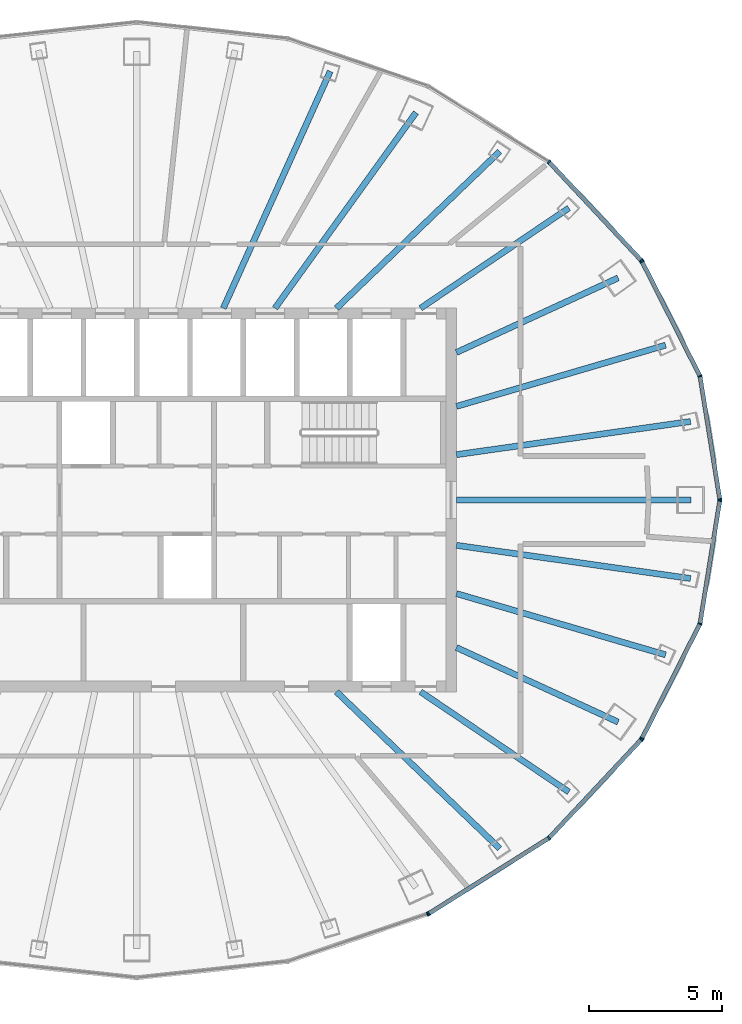
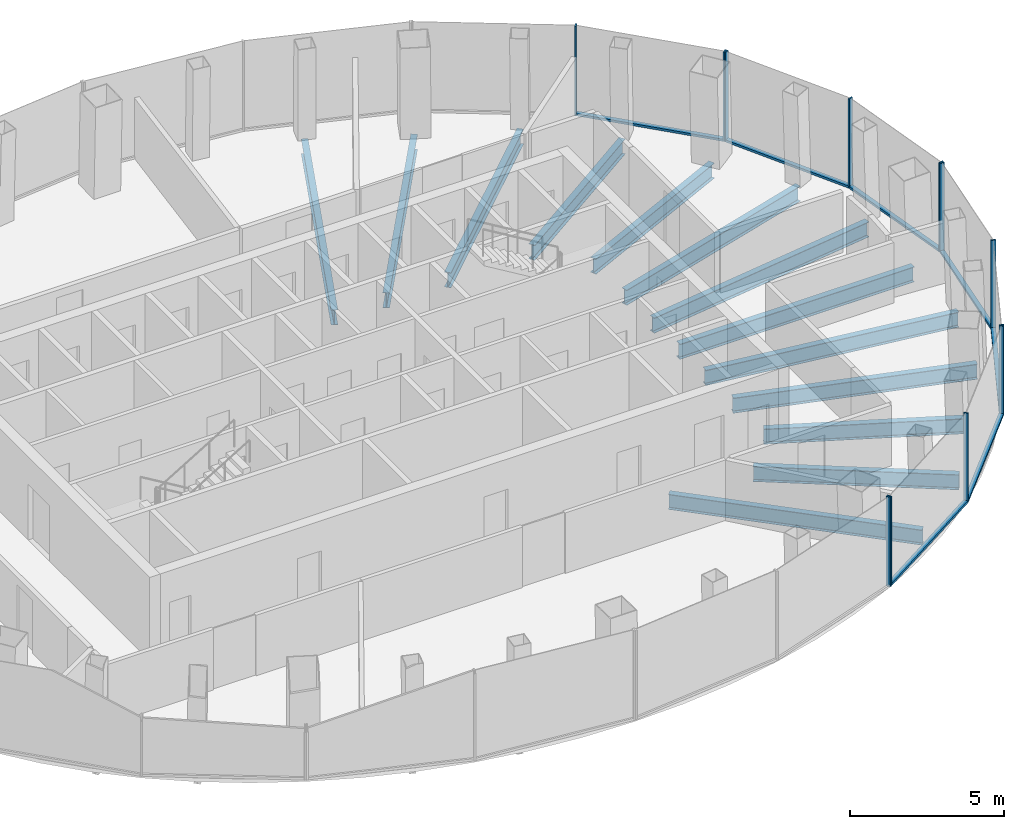
# One storey, part 5 of 11: 19 members, 13 beams, 5 elements without a shape of their own.
"""IFC4 building model written with IfcOpenShell, lengths in metres."""

from ifc_helpers import new_model, si_unit, direction, frame, origin, origin_2d, place, context, subcontext, project, spatial, rectangle, i_section, extrude, material, layer, layer_set, material_profile, profile_set, type_object, element, aggregate, save


model = new_model("IFC4")

# Units and contexts
model_context = context("Model", 3, precision=1e-05, world=origin(), true_north=direction((0.0, 1.0)))
body_context = subcontext(model_context, "Body", "Model", "MODEL_VIEW")
ifc_project = project(units=[si_unit("LENGTHUNIT", "METRE"), si_unit("AREAUNIT", "SQUARE_METRE"), si_unit("VOLUMEUNIT", "CUBIC_METRE"), si_unit("PLANEANGLEUNIT", "RADIAN"), si_unit("MASSUNIT", "GRAM", prefix="KILO")], contexts=[model_context])

# Site, building, storey
site_placement = place(None, origin())
site = spatial("IfcSite", under=ifc_project, at=site_placement, CompositionType="ELEMENT")
building_placement = place(site_placement, origin())
building = spatial("IfcBuilding", under=site, at=building_placement, Name="Siaravel Broadcast Tower", CompositionType="ELEMENT")
storey_placement = place(building_placement, frame((0.0, 0.0, 220.800048828125)))
storey = spatial("IfcBuildingStorey", under=building, at=storey_placement, Name="L53", CompositionType="ELEMENT", Elevation=220.800048828125)

# Beams
ifc_material_1 = material(Name="Steel S355", Category="steel")
ifc_material_profile_1 = material_profile(ifc_material_1, i_section(OverallWidth=0.2275390625, OverallDepth=0.6025390625, WebThickness=0.010498046875, FlangeThickness=0.014892578125, FilletRadius=0.0126953125, at=origin_2d()))
ifc_profile_set_1 = profile_set([ifc_material_profile_1], Name="Steel S355")
beam_type = type_object("IfcBeamType", Name="BM-UB 610x229x101", PredefinedType="BEAM", material=ifc_profile_set_1)
beam_1_placement = place(storey_placement, frame((20.80029296875, 0.0, -0.451416015625), z_axis=(-1.0, 0.0, 0.0), x_axis=(0.0, -1.0, 0.0)))
element("IfcBeam", 1, at=beam_1_placement, inside=storey, type_object=beam_type, Name="Radial beam RB01", PredefinedType="BEAM", context=body_context, shape_type="SweptSolid", body=[
    extrude(i_section(OverallWidth=0.2275390625, OverallDepth=0.6025390625, WebThickness=0.010498046875, FlangeThickness=0.014892578125, FilletRadius=0.0126953125, at=origin_2d()), origin(), (0.0, 0.0, 1.0), 8.80029296875),
])
beam_2_placement = place(storey_placement, frame((20.785400390625, 2.94677734375, -0.451416015625), z_axis=(-0.99009807, -0.140377389, 0.0), x_axis=(0.140377389, -0.99009807, 0.0)))
element("IfcBeam", 2, at=beam_2_placement, inside=storey, type_object=beam_type, Name="Radial beam RB02", PredefinedType="BEAM", context=body_context, shape_type="SweptSolid", body=[
    extrude(i_section(OverallWidth=0.2275390625, OverallDepth=0.6025390625, WebThickness=0.010498046875, FlangeThickness=0.014892578125, FilletRadius=0.0126953125, at=origin_2d()), origin(), (0.0, 0.0, 1.0), 8.873291015625),
])
beam_3_placement = place(storey_placement, frame((19.848388671875, 5.810546875, -0.451416015625), z_axis=(-0.959720327, -0.280957103, 0.0), x_axis=(0.280957103, -0.959720327, 0.0)))
element("IfcBeam", 3, at=beam_3_placement, inside=storey, type_object=beam_type, Name="Radial beam RB03", PredefinedType="BEAM", context=body_context, shape_type="SweptSolid", body=[
    extrude(i_section(OverallWidth=0.2275390625, OverallDepth=0.6025390625, WebThickness=0.010498046875, FlangeThickness=0.014892578125, FilletRadius=0.0126953125, at=origin_2d()), origin(), (0.0, 0.0, 1.0), 8.177734375),
])
beam_4_placement = place(storey_placement, frame((18.06689453125, 8.335693359375, -0.451416015625), z_axis=(-0.908018196, -0.418930729, 0.0), x_axis=(0.418930729, -0.908018196, 0.0)))
element("IfcBeam", 4, at=beam_4_placement, inside=storey, type_object=beam_type, Name="Radial beam RB04", PredefinedType="BEAM", context=body_context, shape_type="SweptSolid", body=[
    extrude(i_section(OverallWidth=0.2275390625, OverallDepth=0.6025390625, WebThickness=0.010498046875, FlangeThickness=0.014892578125, FilletRadius=0.0126953125, at=origin_2d()), origin(), (0.0, 0.0, 1.0), 6.681396484375),
])
beam_5_placement = place(storey_placement, frame((16.2177734375, 10.958251953125, -0.451416015625), z_axis=(-0.828587601, -0.559859436, 0.0), x_axis=(0.559859436, -0.828587601, 0.0)))
element("IfcBeam", 5, at=beam_5_placement, inside=storey, type_object=beam_type, Name="Radial beam RB05", PredefinedType="BEAM", context=body_context, shape_type="SweptSolid", body=[
    extrude(i_section(OverallWidth=0.2275390625, OverallDepth=0.6025390625, WebThickness=0.010498046875, FlangeThickness=0.014892578125, FilletRadius=0.0126953125, at=origin_2d()), origin(), (0.0, 0.0, 1.0), 6.712890625),
])
beam_6_placement = place(storey_placement, frame((13.6240234375, 13.08251953125, -0.451416015625), z_axis=(-0.721291383, -0.69263175, 0.0), x_axis=(0.69263175, -0.721291383, 0.0)))
element("IfcBeam", 6, at=beam_6_placement, inside=storey, type_object=beam_type, Name="Radial beam RB06", PredefinedType="BEAM", context=body_context, shape_type="SweptSolid", body=[
    extrude(i_section(OverallWidth=0.2275390625, OverallDepth=0.6025390625, WebThickness=0.010498046875, FlangeThickness=0.014892578125, FilletRadius=0.0126953125, at=origin_2d()), origin(), (0.0, 0.0, 1.0), 8.4931640625),
])
beam_7_placement = place(storey_placement, frame((10.479736328125, 14.541015625, -0.451416015625), z_axis=(-0.584665734, -0.811274294, 0.0), x_axis=(0.811274294, -0.584665734, 0.0)))
element("IfcBeam", 7, at=beam_7_placement, inside=storey, type_object=beam_type, Name="Radial beam RB07", PredefinedType="BEAM", context=body_context, shape_type="SweptSolid", body=[
    extrude(i_section(OverallWidth=0.2275390625, OverallDepth=0.6025390625, WebThickness=0.010498046875, FlangeThickness=0.014892578125, FilletRadius=0.0126953125, at=origin_2d()), origin(), (0.0, 0.0, 1.0), 9.048828125),
])
beam_8_placement = place(storey_placement, frame((7.26171875, 16.09033203125, -0.451416015625), z_axis=(-0.411347958, -0.911478391, 0.0), x_axis=(0.911478391, -0.411347958, 0.0)))
element("IfcBeam", 8, at=beam_8_placement, inside=storey, type_object=beam_type, Name="Radial beam RB08", PredefinedType="BEAM", context=body_context, shape_type="SweptSolid", body=[
    extrude(i_section(OverallWidth=0.2275390625, OverallDepth=0.6025390625, WebThickness=0.010498046875, FlangeThickness=0.014892578125, FilletRadius=0.0126953125, at=origin_2d()), origin(), (0.0, 0.0, 1.0), 9.75390625),
])
beam_9_placement = place(storey_placement, frame((13.6240234375, -13.08251953125, -0.451416015625), z_axis=(-0.721291383, 0.69263175, 0.0), x_axis=(-0.69263175, -0.721291383, 0.0)))
element("IfcBeam", 9, at=beam_9_placement, inside=storey, type_object=beam_type, Name="Radial beam RB32", PredefinedType="BEAM", context=body_context, shape_type="SweptSolid", body=[
    extrude(i_section(OverallWidth=0.2275390625, OverallDepth=0.6025390625, WebThickness=0.010498046875, FlangeThickness=0.014892578125, FilletRadius=0.0126953125, at=origin_2d()), origin(), (0.0, 0.0, 1.0), 8.4931640625),
])
beam_10_placement = place(storey_placement, frame((16.2177734375, -10.958251953125, -0.451416015625), z_axis=(-0.828587601, 0.559859436, 0.0), x_axis=(-0.559859436, -0.828587601, 0.0)))
element("IfcBeam", 10, at=beam_10_placement, inside=storey, type_object=beam_type, Name="Radial beam RB33", PredefinedType="BEAM", context=body_context, shape_type="SweptSolid", body=[
    extrude(i_section(OverallWidth=0.2275390625, OverallDepth=0.6025390625, WebThickness=0.010498046875, FlangeThickness=0.014892578125, FilletRadius=0.0126953125, at=origin_2d()), origin(), (0.0, 0.0, 1.0), 6.712890625),
])
beam_11_placement = place(storey_placement, frame((18.06689453125, -8.335693359375, -0.451416015625), z_axis=(-0.908018196, 0.418930729, 0.0), x_axis=(-0.418930729, -0.908018196, 0.0)))
element("IfcBeam", 11, at=beam_11_placement, inside=storey, type_object=beam_type, Name="Radial beam RB34", PredefinedType="BEAM", context=body_context, shape_type="SweptSolid", body=[
    extrude(i_section(OverallWidth=0.2275390625, OverallDepth=0.6025390625, WebThickness=0.010498046875, FlangeThickness=0.014892578125, FilletRadius=0.0126953125, at=origin_2d()), origin(), (0.0, 0.0, 1.0), 6.681396484375),
])
beam_12_placement = place(storey_placement, frame((19.848388671875, -5.810546875, -0.451416015625), z_axis=(-0.959720327, 0.280957103, 0.0), x_axis=(-0.280957103, -0.959720327, 0.0)))
element("IfcBeam", 12, at=beam_12_placement, inside=storey, type_object=beam_type, Name="Radial beam RB35", PredefinedType="BEAM", context=body_context, shape_type="SweptSolid", body=[
    extrude(i_section(OverallWidth=0.2275390625, OverallDepth=0.6025390625, WebThickness=0.010498046875, FlangeThickness=0.014892578125, FilletRadius=0.0126953125, at=origin_2d()), origin(), (0.0, 0.0, 1.0), 8.177734375),
])
beam_13_placement = place(storey_placement, frame((20.785400390625, -2.94677734375, -0.451416015625), z_axis=(-0.99009807, 0.140377389, 0.0), x_axis=(-0.140377389, -0.99009807, 0.0)))
element("IfcBeam", 13, at=beam_13_placement, inside=storey, type_object=beam_type, Name="Radial beam RB36", PredefinedType="BEAM", context=body_context, shape_type="SweptSolid", body=[
    extrude(i_section(OverallWidth=0.2275390625, OverallDepth=0.6025390625, WebThickness=0.010498046875, FlangeThickness=0.014892578125, FilletRadius=0.0126953125, at=origin_2d()), origin(), (0.0, 0.0, 1.0), 8.873291015625),
])

# Curtain wall, members
ifc_material_2 = material(Name="Aluminium 6063-T6", Category="aluminium")
ifc_layer = layer(ifc_material_2, 0.159912109375)
ifc_layer_set = layer_set([ifc_layer], Name="Aluminium 6063-T6")
curtain_wall_type = type_object("IfcCurtainWallType", Name="Unitised curtain wall, zone 4", PredefinedType="NOTDEFINED", material=ifc_layer_set)
curtain_wall_1_placement = place(storey_placement, origin())
curtain_wall_1 = element("IfcCurtainWall", 14, at=curtain_wall_1_placement, inside=storey, type_object=curtain_wall_type, Name="L53 Unitised curtain wall, zone 4 01", PredefinedType="NOTDEFINED")
ifc_material_profile_2 = material_profile(ifc_material_2, rectangle(XDim=0.159912109375, YDim=0.054931640625, at=origin_2d()))
ifc_profile_set_2 = profile_set([ifc_material_profile_2], Name="Aluminium 6063-T6")
member_type_1 = type_object("IfcMemberType", Name="CW-Z4 mullion", PredefinedType="MULLION", material=ifc_profile_set_2)
member_1_placement = place(storey_placement, frame((21.8818359375, 0.027099609375, 0.0), z_axis=(0.0, 0.0, 1.0), x_axis=(-0.987329271, -0.158684943, 0.0)))
member_1 = element("IfcMember", 15, at=member_1_placement, type_object=member_type_1, Name="CW-Z4 mullion 1", PredefinedType="MULLION", context=body_context, shape_type="SweptSolid", body=[
    extrude(rectangle(XDim=0.159912109375, YDim=0.054931640625, at=origin_2d()), origin(), (0.0, 0.0, 1.0), 3.550048828125),
])
member_2_placement = place(storey_placement, frame((21.1396484375, 4.64501953125, 0.0), z_axis=(0.0, 0.0, 1.0), x_axis=(-0.951177504, -0.308644385, 0.0)))
member_2 = element("IfcMember", 16, at=member_2_placement, type_object=member_type_1, Name="CW-Z4 mullion 2", PredefinedType="MULLION", context=body_context, shape_type="SweptSolid", body=[
    extrude(rectangle(XDim=0.159912109375, YDim=0.054931640625, at=origin_2d()), origin(), (0.0, 0.0, 1.0), 3.550048828125),
])
member_3_placement = place(storey_placement, frame((18.964111328125, 8.947509765625, 0.0), z_axis=(0.0, 0.0, 1.0), x_axis=(-0.892392673, -0.451259701, 0.0)))
member_3 = element("IfcMember", 17, at=member_3_placement, type_object=member_type_1, Name="CW-Z4 mullion 3", PredefinedType="MULLION", context=body_context, shape_type="SweptSolid", body=[
    extrude(rectangle(XDim=0.159912109375, YDim=0.054931640625, at=origin_2d()), origin(), (0.0, 0.0, 1.0), 3.550048828125),
])

curtain_wall_2_placement = place(storey_placement, origin())
curtain_wall_2 = element("IfcCurtainWall", 18, at=curtain_wall_2_placement, inside=storey, type_object=curtain_wall_type, Name="L53 Unitised curtain wall, zone 4 02", PredefinedType="NOTDEFINED")
member_4_placement = place(storey_placement, frame((18.932861328125, 8.991943359375, 0.0), z_axis=(0.0, 0.0, 1.0), x_axis=(-0.729806178, -0.68365411, 0.0)))
member_4 = element("IfcMember", 19, at=member_4_placement, type_object=member_type_1, Name="CW-Z4 mullion 1", PredefinedType="MULLION", context=body_context, shape_type="SweptSolid", body=[
    extrude(rectangle(XDim=0.159912109375, YDim=0.054931640625, at=origin_2d()), origin(), (0.0, 0.0, 1.0), 3.550048828125),
])
member_5_placement = place(storey_placement, frame((15.47216796875, 12.686279296875, 0.0), z_axis=(0.0, 0.0, 1.0), x_axis=(-0.636219575, -0.771508038, 0.0)))
member_5 = element("IfcMember", 20, at=member_5_placement, type_object=member_type_1, Name="CW-Z4 mullion 2", PredefinedType="MULLION", context=body_context, shape_type="SweptSolid", body=[
    extrude(rectangle(XDim=0.159912109375, YDim=0.054931640625, at=origin_2d()), origin(), (0.0, 0.0, 1.0), 3.550048828125),
])

# Curtain wall, member
curtain_wall_3_placement = place(storey_placement, origin())
curtain_wall_3 = element("IfcCurtainWall", 21, at=curtain_wall_3_placement, inside=storey, type_object=curtain_wall_type, Name="L53 Unitised curtain wall, zone 4 10", PredefinedType="NOTDEFINED")
member_6_placement = place(storey_placement, frame((10.913330078125, -15.5439453125, 0.0), z_axis=(0.0, 0.0, 1.0), x_axis=(-0.321301242, 0.946977039, 0.0)))
member_6 = element("IfcMember", 22, at=member_6_placement, type_object=member_type_1, Name="CW-Z4 mullion 3", PredefinedType="MULLION", context=body_context, shape_type="SweptSolid", body=[
    extrude(rectangle(XDim=0.159912109375, YDim=0.054931640625, at=origin_2d()), origin(), (0.0, 0.0, 1.0), 3.550048828125),
])
aggregate(curtain_wall_3, [member_6])

# Curtain wall, members
curtain_wall_4_placement = place(storey_placement, origin())
curtain_wall_4 = element("IfcCurtainWall", 23, at=curtain_wall_4_placement, inside=storey, type_object=curtain_wall_type, Name="L53 Unitised curtain wall, zone 4 11", PredefinedType="NOTDEFINED")
member_7_placement = place(storey_placement, frame((10.962890625, -15.5205078125, 0.0), z_axis=(0.0, 0.0, 1.0), x_axis=(-0.53215013, 0.84665001, 0.0)))
member_7 = element("IfcMember", 24, at=member_7_placement, type_object=member_type_1, Name="CW-Z4 mullion 1", PredefinedType="MULLION", context=body_context, shape_type="SweptSolid", body=[
    extrude(rectangle(XDim=0.159912109375, YDim=0.054931640625, at=origin_2d()), origin(), (0.0, 0.0, 1.0), 3.550048828125),
])
member_8_placement = place(storey_placement, frame((15.47216796875, -12.686279296875, 0.0), z_axis=(0.0, 0.0, 1.0), x_axis=(-0.636219575, 0.771508038, 0.0)))
member_8 = element("IfcMember", 25, at=member_8_placement, type_object=member_type_1, Name="CW-Z4 mullion 2", PredefinedType="MULLION", context=body_context, shape_type="SweptSolid", body=[
    extrude(rectangle(XDim=0.159912109375, YDim=0.054931640625, at=origin_2d()), origin(), (0.0, 0.0, 1.0), 3.550048828125),
])
member_9_placement = place(storey_placement, frame((18.932861328125, -8.991943359375, 0.0), z_axis=(0.0, 0.0, 1.0), x_axis=(-0.729806178, 0.68365411, 0.0)))
member_9 = element("IfcMember", 26, at=member_9_placement, type_object=member_type_1, Name="CW-Z4 mullion 3", PredefinedType="MULLION", context=body_context, shape_type="SweptSolid", body=[
    extrude(rectangle(XDim=0.159912109375, YDim=0.054931640625, at=origin_2d()), origin(), (0.0, 0.0, 1.0), 3.550048828125),
])

curtain_wall_5_placement = place(storey_placement, origin())
curtain_wall_5 = element("IfcCurtainWall", 27, at=curtain_wall_5_placement, inside=storey, type_object=curtain_wall_type, Name="L53 Unitised curtain wall, zone 4 12", PredefinedType="NOTDEFINED")
member_10_placement = place(storey_placement, frame((18.964111328125, -8.947509765625, 0.0), z_axis=(0.0, 0.0, 1.0), x_axis=(-0.892392673, 0.451259701, 0.0)))
member_10 = element("IfcMember", 28, at=member_10_placement, type_object=member_type_1, Name="CW-Z4 mullion 1", PredefinedType="MULLION", context=body_context, shape_type="SweptSolid", body=[
    extrude(rectangle(XDim=0.159912109375, YDim=0.054931640625, at=origin_2d()), origin(), (0.0, 0.0, 1.0), 3.550048828125),
])
member_11_placement = place(storey_placement, frame((21.1396484375, -4.64501953125, 0.0), z_axis=(0.0, 0.0, 1.0), x_axis=(-0.951177504, 0.308644385, 0.0)))
member_11 = element("IfcMember", 29, at=member_11_placement, type_object=member_type_1, Name="CW-Z4 mullion 2", PredefinedType="MULLION", context=body_context, shape_type="SweptSolid", body=[
    extrude(rectangle(XDim=0.159912109375, YDim=0.054931640625, at=origin_2d()), origin(), (0.0, 0.0, 1.0), 3.550048828125),
])
member_12_placement = place(storey_placement, frame((21.8818359375, -0.027099609375, 0.0), z_axis=(0.0, 0.0, 1.0), x_axis=(-0.987329271, 0.158684943, 0.0)))
member_12 = element("IfcMember", 30, at=member_12_placement, type_object=member_type_1, Name="CW-Z4 mullion 3", PredefinedType="MULLION", context=body_context, shape_type="SweptSolid", body=[
    extrude(rectangle(XDim=0.159912109375, YDim=0.054931640625, at=origin_2d()), origin(), (0.0, 0.0, 1.0), 3.550048828125),
])

# Member
ifc_material_profile_3 = material_profile(ifc_material_2, rectangle(XDim=0.159912109375, YDim=0.090087890625, at=origin_2d()))
ifc_profile_set_3 = profile_set([ifc_material_profile_3], Name="Aluminium 6063-T6")
member_type_2 = type_object("IfcMemberType", Name="CW-Z4 transom", PredefinedType="USERDEFINED", material=ifc_profile_set_3)
member_13_placement = place(storey_placement, frame((21.87744140625, 0.05419921875, 0.044921875), z_axis=(-0.158674417, 0.987330962, 0.0), x_axis=(-0.987330962, -0.158674417, 0.0)))
member_13 = element("IfcMember", 31, at=member_13_placement, type_object=member_type_2, Name="CW-Z4 transom 1", ObjectType="TRANSOM", PredefinedType="USERDEFINED", context=body_context, shape_type="SweptSolid", body=[
    extrude(rectangle(XDim=0.159912109375, YDim=0.090087890625, at=origin_2d()), origin(), (0.0, 0.0, 1.0), 4.6220703125),
])

member_14_placement = place(storey_placement, frame((21.127197265625, 4.66943359375, 0.044921875), z_axis=(-0.451265777, 0.8923896, 0.0), x_axis=(-0.8923896, -0.451265777, 0.0)))
member_14 = element("IfcMember", 32, at=member_14_placement, type_object=member_type_2, Name="CW-Z4 transom 2", ObjectType="TRANSOM", PredefinedType="USERDEFINED", context=body_context, shape_type="SweptSolid", body=[
    extrude(rectangle(XDim=0.159912109375, YDim=0.090087890625, at=origin_2d()), origin(), (0.0, 0.0, 1.0), 4.766357421875),
])

aggregate(curtain_wall_1, [member_1, member_2, member_3, member_13, member_14])

member_15_placement = place(storey_placement, frame((18.9140625, 9.01220703125, 0.044921875), z_axis=(-0.683691298, 0.72977134, 0.0), x_axis=(-0.72977134, -0.683691298, 0.0)))
member_15 = element("IfcMember", 33, at=member_15_placement, type_object=member_type_2, Name="CW-Z4 transom 1", ObjectType="TRANSOM", PredefinedType="USERDEFINED", context=body_context, shape_type="SweptSolid", body=[
    extrude(rectangle(XDim=0.159912109375, YDim=0.090087890625, at=origin_2d()), origin(), (0.0, 0.0, 1.0), 5.0068359375),
])

aggregate(curtain_wall_2, [member_4, member_5, member_15])

member_16_placement = place(storey_placement, frame((10.986083984375, -15.505859375, 0.044921875), z_axis=(0.846642511, 0.53216206, 0.0), x_axis=(-0.53216206, 0.846642511, 0.0)))
member_16 = element("IfcMember", 34, at=member_16_placement, type_object=member_type_2, Name="CW-Z4 transom 1", ObjectType="TRANSOM", PredefinedType="USERDEFINED", context=body_context, shape_type="SweptSolid", body=[
    extrude(rectangle(XDim=0.159912109375, YDim=0.090087890625, at=origin_2d()), origin(), (0.0, 0.0, 1.0), 5.271240234375),
])

member_17_placement = place(storey_placement, frame((15.490966796875, -12.666015625, 0.044921875), z_axis=(0.683691298, 0.72977134, 0.0), x_axis=(-0.72977134, 0.683691298, 0.0)))
member_17 = element("IfcMember", 35, at=member_17_placement, type_object=member_type_2, Name="CW-Z4 transom 2", ObjectType="TRANSOM", PredefinedType="USERDEFINED", context=body_context, shape_type="SweptSolid", body=[
    extrude(rectangle(XDim=0.159912109375, YDim=0.090087890625, at=origin_2d()), origin(), (0.0, 0.0, 1.0), 5.0068359375),
])

aggregate(curtain_wall_4, [member_7, member_8, member_9, member_16, member_17])

member_18_placement = place(storey_placement, frame((18.976318359375, -8.9228515625, 0.044921875), z_axis=(0.451265777, 0.8923896, 0.0), x_axis=(-0.8923896, 0.451265777, 0.0)))
member_18 = element("IfcMember", 36, at=member_18_placement, type_object=member_type_2, Name="CW-Z4 transom 1", ObjectType="TRANSOM", PredefinedType="USERDEFINED", context=body_context, shape_type="SweptSolid", body=[
    extrude(rectangle(XDim=0.159912109375, YDim=0.090087890625, at=origin_2d()), origin(), (0.0, 0.0, 1.0), 4.766357421875),
])

member_19_placement = place(storey_placement, frame((21.14404296875, -4.61767578125, 0.044921875), z_axis=(0.158674417, 0.987330962, 0.0), x_axis=(-0.987330962, 0.158674417, 0.0)))
member_19 = element("IfcMember", 37, at=member_19_placement, type_object=member_type_2, Name="CW-Z4 transom 2", ObjectType="TRANSOM", PredefinedType="USERDEFINED", context=body_context, shape_type="SweptSolid", body=[
    extrude(rectangle(XDim=0.159912109375, YDim=0.090087890625, at=origin_2d()), origin(), (0.0, 0.0, 1.0), 4.6220703125),
])

aggregate(curtain_wall_5, [member_10, member_11, member_12, member_18, member_19])

save(model, "model.ifc")
